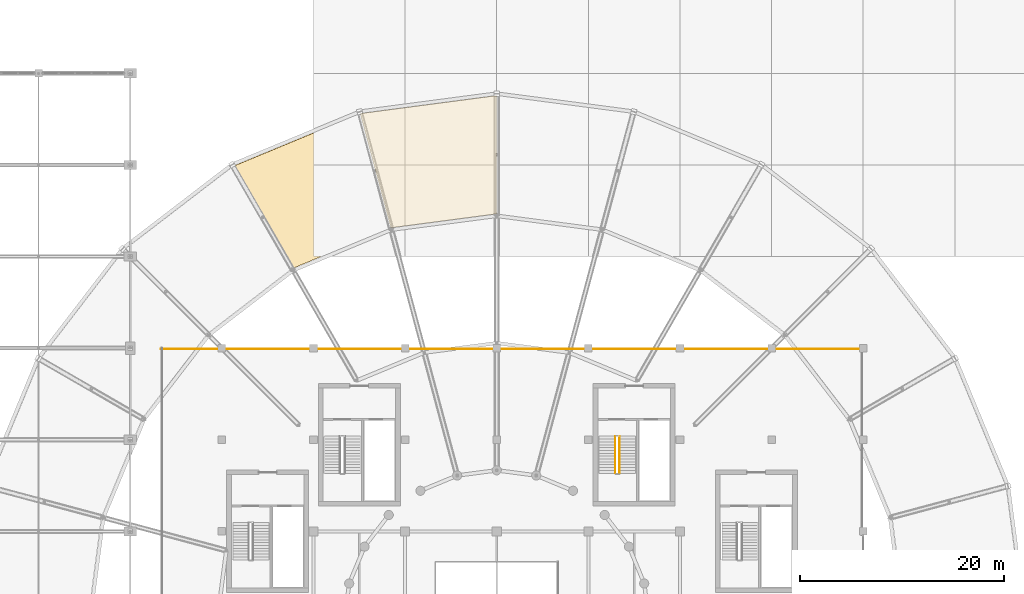
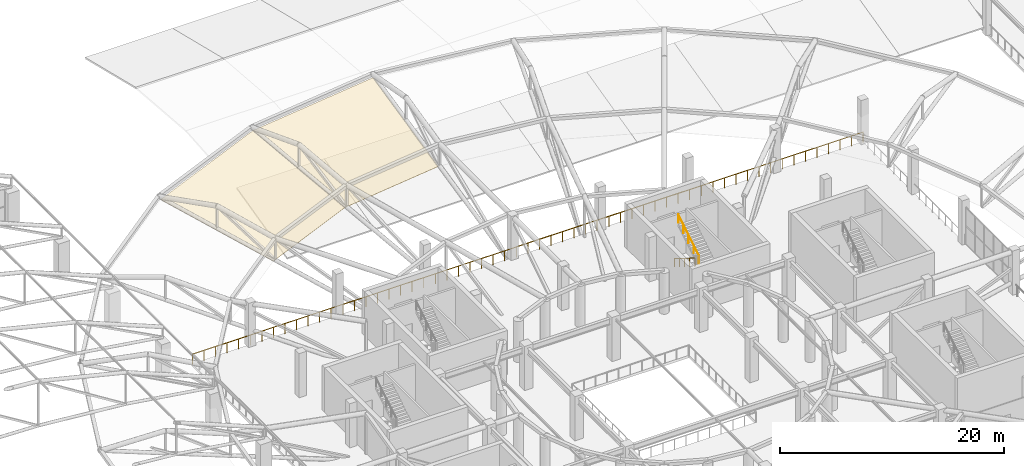
# One storey, part 158 of 167: 3 railings, 2 coverings.
"""IFC4 building model written with IfcOpenShell, lengths in metres."""

import ifcopenshell
import ifcopenshell.guid

model = None  # the IFC model being written
_history = None  # IfcOwnerHistory: only IFC2X3 demands one
_inside = {}  # id of a spatial element -> (the spatial element, [elements in it])
_under = {}  # id of a project, library or spatial element -> (it, [spatial elements below it])
_declared = {}  # id of a project -> (the project, [libraries it declares])
_typed = {}  # id of a type object -> (the type object, [elements of that type])
_made_of = {}  # id of a material, layer set ... -> (it, [elements and type objects made of it])


def new_model(schema):
    """Start an empty IFC model of exactly this schema.

    Asked for "IFC4X3", IfcOpenShell would pick the latest addendum, in which some entities
    have other attributes; the version numbers below select the first issue.
    IFC2X3 requires an IfcOwnerHistory on every rooted entity: one is made here for all.
    """
    global model, _history
    if schema == "IFC4X3":
        model = ifcopenshell.file(schema_version=(4, 3, 0, 0))
    else:
        model = ifcopenshell.file(schema=schema)
    _inside.clear()
    _under.clear()
    _declared.clear()
    _typed.clear()
    _made_of.clear()
    _history = None
    if model.schema == "IFC2X3":
        org = make("IfcOrganization", Name="unknown")
        user = make(
            "IfcPersonAndOrganization",
            ThePerson=make("IfcPerson", FamilyName="unknown"),
            TheOrganization=org,
        )
        app = make(
            "IfcApplication",
            ApplicationDeveloper=org,
            Version="unknown",
            ApplicationFullName="unknown",
            ApplicationIdentifier="unknown",
        )
        _history = make(
            "IfcOwnerHistory",
            OwningUser=user,
            OwningApplication=app,
            ChangeAction="ADDED",
            CreationDate=0,
        )
    return model


def make(cls, **values):
    """One entity of the class cls with the attributes given. An attribute that is None is left unset."""
    return model.create_entity(
        cls, **{name: value for name, value in values.items() if value is not None}
    )


def rooted(cls, **values):
    """An entity with a GlobalId (a new one), such as an element, a storey or a relation."""
    return make(cls, GlobalId=ifcopenshell.guid.new(), OwnerHistory=_history, **values)


def si_unit(unit_type, name, prefix=None):
    """IfcSIUnit, for example si_unit("LENGTHUNIT", "METRE", prefix="MILLI")."""
    return make("IfcSIUnit", UnitType=unit_type, Prefix=prefix, Name=name)


def assignment(units):
    """IfcUnitAssignment: the units of a project."""
    return None if units is None else make("IfcUnitAssignment", Units=units)


def point(xyz):
    """IfcCartesianPoint."""
    return None if xyz is None else make("IfcCartesianPoint", Coordinates=xyz)


def direction(xyz):
    """IfcDirection."""
    return None if xyz is None else make("IfcDirection", DirectionRatios=xyz)


def frame(location, z_axis=None, x_axis=None):
    """IfcAxis2Placement3D, a coordinate frame: its origin and axes. An axis left out is left unset."""
    return make(
        "IfcAxis2Placement3D",
        Location=point(location),
        Axis=direction(z_axis),
        RefDirection=direction(x_axis),
    )


def frame_2d(location, x_axis=None):
    """IfcAxis2Placement2D, a coordinate frame in the plane: its origin and x axis."""
    return make(
        "IfcAxis2Placement2D", Location=point(location), RefDirection=direction(x_axis)
    )


def origin():
    """The frame at (0, 0, 0) with its axes left unset."""
    return frame((0.0, 0.0, 0.0))


def origin_2d():
    """The frame at (0, 0) in the plane with its x axis left unset."""
    return frame_2d((0.0, 0.0))


def place(relative_to, where):
    """IfcLocalPlacement: puts the frame where relative to a parent placement (None: the world)."""
    return make(
        "IfcLocalPlacement", PlacementRelTo=relative_to, RelativePlacement=where
    )


def context(
    kind, dimensions, precision=None, world=None, true_north=None, identifier=None
):
    """IfcGeometricRepresentationContext, for example the 3D "Model" context."""
    return make(
        "IfcGeometricRepresentationContext",
        ContextIdentifier=identifier,
        ContextType=kind,
        CoordinateSpaceDimension=dimensions,
        Precision=precision,
        WorldCoordinateSystem=world,
        TrueNorth=true_north,
    )


def subcontext(parent, identifier, kind, view, scale=None):
    """IfcGeometricRepresentationSubContext, for example "Body" below "Model"."""
    return make(
        "IfcGeometricRepresentationSubContext",
        ContextIdentifier=identifier,
        ContextType=kind,
        ParentContext=parent,
        TargetScale=scale,
        TargetView=view,
    )


def project(units=None, contexts=None):
    """IfcProject with its units and contexts."""
    return rooted(
        "IfcProject",
        Name="project",
        RepresentationContexts=contexts,
        UnitsInContext=assignment(units),
    )


def spatial(cls, under=None, at=None, **own):
    """A site, building, storey or space (cls), placed at a placement, below another one or the project."""
    s = rooted(cls, ObjectPlacement=at, **own)
    if under is not None:
        _under.setdefault(under.id(), (under, []))[1].append(s)
    return s


def polyline(points):
    """IfcPolyline through the points."""
    return make("IfcPolyline", Points=[point(p) for p in points])


def profile(cls, at=None, kind="AREA", **sizes):
    """A parametric profile (cls). Its sizes go by their IFC names, for example OverallWidth=200.0."""
    return make(cls, ProfileType=kind, Position=at, **sizes)


def circle(**sizes):
    """IfcCircleProfileDef."""
    return profile("IfcCircleProfileDef", **sizes)


def outline(outer, holes=None, kind="AREA"):
    """IfcArbitraryClosedProfileDef: a profile drawn as a closed curve; with holes, ...WithVoids."""
    if holes is None:
        return make("IfcArbitraryClosedProfileDef", ProfileType=kind, OuterCurve=outer)
    return make(
        "IfcArbitraryProfileDefWithVoids",
        ProfileType=kind,
        OuterCurve=outer,
        InnerCurves=holes,
    )


def extrude(swept, where, along, depth):
    """IfcExtrudedAreaSolid: the profile swept, set in the frame where, extruded along a direction by depth."""
    return make(
        "IfcExtrudedAreaSolid",
        SweptArea=swept,
        Position=where,
        ExtrudedDirection=direction(along),
        Depth=depth,
    )


def shape(context_of_items, identifier, shape_type, items):
    """IfcShapeRepresentation: the items that make up one representation, for example the "Body"."""
    return make(
        "IfcShapeRepresentation",
        ContextOfItems=context_of_items,
        RepresentationIdentifier=identifier,
        RepresentationType=shape_type,
        Items=items,
    )


def material(Name=None, Category=None):
    """IfcMaterial."""
    return make("IfcMaterial", Name=Name, Category=Category)


def layer(
    of_material, thickness, ventilated=None, Name=None, Category=None, Priority=None
):
    """IfcMaterialLayer: one layer of a wall or slab, of a material (None: an air gap)."""
    return make(
        "IfcMaterialLayer",
        Material=of_material,
        LayerThickness=thickness,
        IsVentilated=ventilated,
        Name=Name,
        Category=Category,
        Priority=Priority,
    )


def layer_set(layers, Name=None):
    """IfcMaterialLayerSet."""
    return make("IfcMaterialLayerSet", MaterialLayers=layers, LayerSetName=Name)


def made_of(thing, what):
    """Note that an element or type object is made of a material, layer set ...; save() writes the relation."""
    if what is not None:
        _made_of.setdefault(what.id(), (what, []))[1].append(thing)
    return thing


def type_object(cls, material=None, **own):
    """A type object (cls), such as IfcWallType, which elements share."""
    return made_of(rooted(cls, **own), material)


def element(
    cls,
    number,
    at=None,
    inside=None,
    cuts=None,
    type_object=None,
    material=None,
    context=None,
    identifier="Body",
    shape_type=None,
    held_by="IfcProductDefinitionShape",
    body=None,
    shapes=None,
    **own,
):
    """One element of the class cls, such as IfcWall. Its Tag is "e" and its number.

    at: its placement. inside: the storey or other place that contains it. cuts: it is an
    opening in that element (IfcRelVoidsElement). A single representation is given by context,
    identifier, shape_type and body (its items); several are given by shapes. held_by: the class
    of the entity that holds the representations. save() writes the other relations.
    """
    e = rooted(cls, Tag="e%d" % number, ObjectPlacement=at, **own)
    if body is not None:
        shapes = [shape(context, identifier, shape_type, body)]
    if shapes is not None:
        e.Representation = make(held_by, Representations=shapes)
    if inside is not None:
        _inside.setdefault(inside.id(), (inside, []))[1].append(e)
    if cuts is not None:
        rooted(
            "IfcRelVoidsElement", RelatingBuildingElement=cuts, RelatedOpeningElement=e
        )
    if type_object is not None:
        _typed.setdefault(type_object.id(), (type_object, []))[1].append(e)
    return made_of(e, material)


def aggregate(whole, parts):
    """IfcRelAggregates: a whole, such as a stair, and the parts it consists of."""
    return rooted("IfcRelAggregates", RelatingObject=whole, RelatedObjects=parts)


def save(model, path):
    """Write the relations noted so far, then the file.

    IfcRelAggregates (storeys below a building ...), IfcRelContainedInSpatialStructure (elements
    in a storey), IfcRelDefinesByType, IfcRelAssociatesMaterial and IfcRelDeclares: one each for
    every whole, place, type object, material and project.
    """
    for whole, parts in _under.values():
        aggregate(whole, parts)
    for where, things in _inside.values():
        rooted(
            "IfcRelContainedInSpatialStructure",
            RelatedElements=things,
            RelatingStructure=where,
        )
    for kind, things in _typed.values():
        rooted("IfcRelDefinesByType", RelatedObjects=things, RelatingType=kind)
    for what, things in _made_of.values():
        rooted("IfcRelAssociatesMaterial", RelatedObjects=things, RelatingMaterial=what)
    for by, libraries in _declared.values():
        rooted("IfcRelDeclares", RelatingContext=by, RelatedDefinitions=libraries)
    model.write(path)


model = new_model("IFC4")

# Units and contexts
model_context = context("Model", 3, precision=1e-05, world=origin(), true_north=direction((0.0, 1.0)))
body_context = subcontext(model_context, "Body", "Model", "MODEL_VIEW")
ifc_project = project(units=[si_unit("LENGTHUNIT", "METRE"), si_unit("AREAUNIT", "SQUARE_METRE"), si_unit("VOLUMEUNIT", "CUBIC_METRE"), si_unit("PLANEANGLEUNIT", "RADIAN"), si_unit("MASSUNIT", "GRAM", prefix="KILO")], contexts=[model_context])

# Site, building, storey
site_placement = place(None, origin())
site = spatial("IfcSite", under=ifc_project, at=site_placement, CompositionType="ELEMENT")
building_placement = place(site_placement, origin())
building = spatial("IfcBuilding", under=site, at=building_placement, Name="Dornveld Trade and Exhibition Forum", CompositionType="ELEMENT")
storey_placement = place(building_placement, frame((0.0, 0.0, 16.800048828125)))
storey = spatial("IfcBuildingStorey", under=building, at=storey_placement, Name="L03", CompositionType="ELEMENT", Elevation=16.800048828125)

# Coverings
ifc_material_1 = material(Name="Acoustic perforated aluminium soffit panel", Category="aluminium")
ifc_layer = layer(ifc_material_1, 0.044921875)
ifc_layer_set = layer_set([ifc_layer], Name="Acoustic perforated aluminium soffit panel")
covering_type = type_object("IfcCoveringType", Name="COV-SOFFIT-DISC", PredefinedType="CEILING", material=ifc_layer_set)
covering_1_placement = place(storey_placement, frame((117.0, 121.199951171875, 1.9111328125), z_axis=(0.029133938647, -0.221280443125, 0.97477493767), x_axis=(-2.095e-09, 0.975188889038, 0.221374412922)))
element("IfcCovering", 1, at=covering_1_placement, inside=storey, type_object=covering_type, Name="Floating disc conical soffit panel 7", PredefinedType="CEILING", context=body_context, shape_type="SweptSolid", body=[
    extrude(outline(polyline([(0.0, 0.0), (11.89523176062862, 0.0), (10.173890072953098, 13.41243161295085), (-1.3358849529112242, 10.408959472635203), (0.0, 0.0)])), origin(), (0.0, 0.0, -1.0), 0.044921875),
])
covering_2_placement = place(storey_placement, frame((106.595458984375, 119.830078125, 1.9111328125), z_axis=(0.085410312961, -0.206203115777, 0.974774514174), x_axis=(-0.25238718951, 0.941962421802, 0.221376381949)))
element("IfcCovering", 2, at=covering_2_placement, inside=storey, type_object=covering_type, Name="Floating disc conical soffit panel 8", PredefinedType="CEILING", context=body_context, shape_type="SweptSolid", body=[
    extrude(outline(polyline([(0.0, 0.0), (11.895199285569515, -2.3592239273284576e-16), (10.173842295598652, 13.412482319061688), (-1.3357635300827977, 10.408974940773126), (0.0, 0.0)])), origin(), (0.0, 0.0, -1.0), 0.044921875),
])

# Railings
ifc_material_2 = material(Name="Dark-bronze steel and laminated glass balustrade", Category="steel")
railing_type_1 = type_object("IfcRailingType", Name="RL-BALUST-CONC", PredefinedType="BALUSTRADE", material=ifc_material_2)
railing_1_placement = place(storey_placement, frame((84.0, 107.89990234375, 0.0)))
element("IfcRailing", 3, at=railing_1_placement, inside=storey, type_object=railing_type_1, Name="L03 deck edge balustrade 199", PredefinedType="BALUSTRADE", context=body_context, shape_type="SweptSolid", body=[
    extrude(circle(Radius=0.02490234375, at=origin_2d()), frame((0.0, 0.0, 1.09521484375), z_axis=(1.0, 0.0, 0.0), x_axis=(0.0, 1.0, 0.0)), (0.0, 0.0, 1.0), 69.0),
    extrude(circle(Radius=0.02099609375, at=origin_2d()), origin(), (0.0, 0.0, 1.0), 1.070068359375),
    extrude(circle(Radius=0.02099609375, at=origin_2d()), frame((1.189697265625, 0.0, 0.0)), (0.0, 0.0, 1.0), 1.070068359375),
    extrude(circle(Radius=0.02099609375, at=origin_2d()), frame((2.37939453125, 0.0, 0.0)), (0.0, 0.0, 1.0), 1.070068359375),
    extrude(circle(Radius=0.02099609375, at=origin_2d()), frame((3.56884765625, 0.0, 0.0)), (0.0, 0.0, 1.0), 1.070068359375),
    extrude(circle(Radius=0.02099609375, at=origin_2d()), frame((4.758544921875, 0.0, 0.0)), (0.0, 0.0, 1.0), 1.070068359375),
    extrude(circle(Radius=0.02099609375, at=origin_2d()), frame((5.9482421875, 0.0, 0.0)), (0.0, 0.0, 1.0), 1.070068359375),
    extrude(circle(Radius=0.02099609375, at=origin_2d()), frame((7.137939453125, 0.0, 0.0)), (0.0, 0.0, 1.0), 1.070068359375),
    extrude(circle(Radius=0.02099609375, at=origin_2d()), frame((8.32763671875, 0.0, 0.0)), (0.0, 0.0, 1.0), 1.070068359375),
    extrude(circle(Radius=0.02099609375, at=origin_2d()), frame((9.517333984375, 0.0, 0.0)), (0.0, 0.0, 1.0), 1.070068359375),
    extrude(circle(Radius=0.02099609375, at=origin_2d()), frame((10.706787109375, 0.0, 0.0)), (0.0, 0.0, 1.0), 1.070068359375),
    extrude(circle(Radius=0.02099609375, at=origin_2d()), frame((11.896484375, 0.0, 0.0)), (0.0, 0.0, 1.0), 1.070068359375),
    extrude(circle(Radius=0.02099609375, at=origin_2d()), frame((13.086181640625, 0.0, 0.0)), (0.0, 0.0, 1.0), 1.070068359375),
    extrude(circle(Radius=0.02099609375, at=origin_2d()), frame((14.27587890625, 0.0, 0.0)), (0.0, 0.0, 1.0), 1.070068359375),
    extrude(circle(Radius=0.02099609375, at=origin_2d()), frame((15.465576171875, 0.0, 0.0)), (0.0, 0.0, 1.0), 1.070068359375),
    extrude(circle(Radius=0.02099609375, at=origin_2d()), frame((16.6552734375, 0.0, 0.0)), (0.0, 0.0, 1.0), 1.070068359375),
    extrude(circle(Radius=0.02099609375, at=origin_2d()), frame((17.8447265625, 0.0, 0.0)), (0.0, 0.0, 1.0), 1.070068359375),
    extrude(circle(Radius=0.02099609375, at=origin_2d()), frame((19.034423828125, 0.0, 0.0)), (0.0, 0.0, 1.0), 1.070068359375),
    extrude(circle(Radius=0.02099609375, at=origin_2d()), frame((20.22412109375, 0.0, 0.0)), (0.0, 0.0, 1.0), 1.070068359375),
    extrude(circle(Radius=0.02099609375, at=origin_2d()), frame((21.413818359375, 0.0, 0.0)), (0.0, 0.0, 1.0), 1.070068359375),
    extrude(circle(Radius=0.02099609375, at=origin_2d()), frame((22.603515625, 0.0, 0.0)), (0.0, 0.0, 1.0), 1.070068359375),
    extrude(circle(Radius=0.02099609375, at=origin_2d()), frame((23.793212890625, 0.0, 0.0)), (0.0, 0.0, 1.0), 1.070068359375),
    extrude(circle(Radius=0.02099609375, at=origin_2d()), frame((24.982666015625, 0.0, 0.0)), (0.0, 0.0, 1.0), 1.070068359375),
    extrude(circle(Radius=0.02099609375, at=origin_2d()), frame((26.17236328125, 0.0, 0.0)), (0.0, 0.0, 1.0), 1.070068359375),
    extrude(circle(Radius=0.02099609375, at=origin_2d()), frame((27.362060546875, 0.0, 0.0)), (0.0, 0.0, 1.0), 1.070068359375),
    extrude(circle(Radius=0.02099609375, at=origin_2d()), frame((28.5517578125, 0.0, 0.0)), (0.0, 0.0, 1.0), 1.070068359375),
    extrude(circle(Radius=0.02099609375, at=origin_2d()), frame((29.741455078125, 0.0, 0.0)), (0.0, 0.0, 1.0), 1.070068359375),
    extrude(circle(Radius=0.02099609375, at=origin_2d()), frame((30.93115234375, 0.0, 0.0)), (0.0, 0.0, 1.0), 1.070068359375),
    extrude(circle(Radius=0.02099609375, at=origin_2d()), frame((32.12060546875, 0.0, 0.0)), (0.0, 0.0, 1.0), 1.070068359375),
    extrude(circle(Radius=0.02099609375, at=origin_2d()), frame((33.310302734375, 0.0, 0.0)), (0.0, 0.0, 1.0), 1.070068359375),
    extrude(circle(Radius=0.02099609375, at=origin_2d()), frame((34.5, 0.0, 0.0)), (0.0, 0.0, 1.0), 1.070068359375),
    extrude(circle(Radius=0.02099609375, at=origin_2d()), frame((35.689697265625, 0.0, 0.0)), (0.0, 0.0, 1.0), 1.070068359375),
    extrude(circle(Radius=0.02099609375, at=origin_2d()), frame((36.87939453125, 0.0, 0.0)), (0.0, 0.0, 1.0), 1.070068359375),
    extrude(circle(Radius=0.02099609375, at=origin_2d()), frame((38.06884765625, 0.0, 0.0)), (0.0, 0.0, 1.0), 1.070068359375),
    extrude(circle(Radius=0.02099609375, at=origin_2d()), frame((39.258544921875, 0.0, 0.0)), (0.0, 0.0, 1.0), 1.070068359375),
    extrude(circle(Radius=0.02099609375, at=origin_2d()), frame((40.4482421875, 0.0, 0.0)), (0.0, 0.0, 1.0), 1.070068359375),
    extrude(circle(Radius=0.02099609375, at=origin_2d()), frame((41.637939453125, 0.0, 0.0)), (0.0, 0.0, 1.0), 1.070068359375),
    extrude(circle(Radius=0.02099609375, at=origin_2d()), frame((42.82763671875, 0.0, 0.0)), (0.0, 0.0, 1.0), 1.070068359375),
    extrude(circle(Radius=0.02099609375, at=origin_2d()), frame((44.017333984375, 0.0, 0.0)), (0.0, 0.0, 1.0), 1.070068359375),
    extrude(circle(Radius=0.02099609375, at=origin_2d()), frame((45.206787109375, 0.0, 0.0)), (0.0, 0.0, 1.0), 1.070068359375),
    extrude(circle(Radius=0.02099609375, at=origin_2d()), frame((46.396484375, 0.0, 0.0)), (0.0, 0.0, 1.0), 1.070068359375),
    extrude(circle(Radius=0.02099609375, at=origin_2d()), frame((47.586181640625, 0.0, 0.0)), (0.0, 0.0, 1.0), 1.070068359375),
    extrude(circle(Radius=0.02099609375, at=origin_2d()), frame((48.77587890625, 0.0, 0.0)), (0.0, 0.0, 1.0), 1.070068359375),
    extrude(circle(Radius=0.02099609375, at=origin_2d()), frame((49.965576171875, 0.0, 0.0)), (0.0, 0.0, 1.0), 1.070068359375),
    extrude(circle(Radius=0.02099609375, at=origin_2d()), frame((51.1552734375, 0.0, 0.0)), (0.0, 0.0, 1.0), 1.070068359375),
    extrude(circle(Radius=0.02099609375, at=origin_2d()), frame((52.3447265625, 0.0, 0.0)), (0.0, 0.0, 1.0), 1.070068359375),
    extrude(circle(Radius=0.02099609375, at=origin_2d()), frame((53.534423828125, 0.0, 0.0)), (0.0, 0.0, 1.0), 1.070068359375),
    extrude(circle(Radius=0.02099609375, at=origin_2d()), frame((54.72412109375, 0.0, 0.0)), (0.0, 0.0, 1.0), 1.070068359375),
    extrude(circle(Radius=0.02099609375, at=origin_2d()), frame((55.913818359375, 0.0, 0.0)), (0.0, 0.0, 1.0), 1.070068359375),
    extrude(circle(Radius=0.02099609375, at=origin_2d()), frame((57.103515625, 0.0, 0.0)), (0.0, 0.0, 1.0), 1.070068359375),
    extrude(circle(Radius=0.02099609375, at=origin_2d()), frame((58.293212890625, 0.0, 0.0)), (0.0, 0.0, 1.0), 1.070068359375),
    extrude(circle(Radius=0.02099609375, at=origin_2d()), frame((59.482666015625, 0.0, 0.0)), (0.0, 0.0, 1.0), 1.070068359375),
    extrude(circle(Radius=0.02099609375, at=origin_2d()), frame((60.67236328125, 0.0, 0.0)), (0.0, 0.0, 1.0), 1.070068359375),
    extrude(circle(Radius=0.02099609375, at=origin_2d()), frame((61.862060546875, 0.0, 0.0)), (0.0, 0.0, 1.0), 1.070068359375),
    extrude(circle(Radius=0.02099609375, at=origin_2d()), frame((63.0517578125, 0.0, 0.0)), (0.0, 0.0, 1.0), 1.070068359375),
    extrude(circle(Radius=0.02099609375, at=origin_2d()), frame((64.241455078125, 0.0, 0.0)), (0.0, 0.0, 1.0), 1.070068359375),
    extrude(circle(Radius=0.02099609375, at=origin_2d()), frame((65.43115234375, 0.0, 0.0)), (0.0, 0.0, 1.0), 1.070068359375),
    extrude(circle(Radius=0.02099609375, at=origin_2d()), frame((66.62060546875, 0.0, 0.0)), (0.0, 0.0, 1.0), 1.070068359375),
    extrude(circle(Radius=0.02099609375, at=origin_2d()), frame((67.810302734375, 0.0, 0.0)), (0.0, 0.0, 1.0), 1.070068359375),
    extrude(circle(Radius=0.02099609375, at=origin_2d()), frame((69.0, 0.0, 0.0)), (0.0, 0.0, 1.0), 1.070068359375),
])
ifc_material_3 = material(Name="Brushed stainless steel handrail", Category="steel")
railing_type_2 = type_object("IfcRailingType", Name="RL-HAND-920", PredefinedType="HANDRAIL", material=ifc_material_3)
railing_2_placement = place(storey_placement, frame((128.639892578125, 99.35009765625, 0.17138671875)))
element("IfcRailing", 4, at=railing_2_placement, inside=storey, type_object=railing_type_2, Name="ST-02-L03 flight 1 handrail", PredefinedType="HANDRAIL", context=body_context, shape_type="SweptSolid", body=[
    extrude(circle(Radius=0.02099609375, at=origin_2d()), frame((0.0, 0.0, 0.89892578125), z_axis=(0.0, -0.852865859571, 0.52213008492), x_axis=(1.0, 0.0, 0.0)), (0.0, 0.0, 1.0), 4.26806640625),
    extrude(circle(Radius=0.01806640625, at=origin_2d()), origin(), (0.0, 0.0, 1.0), 0.8779296875),
    extrude(circle(Radius=0.01806640625, at=origin_2d()), frame((0.0, -0.91015625, 0.55712890625)), (0.0, 0.0, 1.0), 0.8779296875),
    extrude(circle(Radius=0.01806640625, at=origin_2d()), frame((0.0, -1.820068359375, 1.1142578125)), (0.0, 0.0, 1.0), 0.8779296875),
    extrude(circle(Radius=0.01806640625, at=origin_2d()), frame((0.0, -2.72998046875, 1.67138671875)), (0.0, 0.0, 1.0), 0.8779296875),
    extrude(circle(Radius=0.01806640625, at=origin_2d()), frame((0.0, -3.64013671875, 2.228515625)), (0.0, 0.0, 1.0), 0.8779296875),
])
railing_3_placement = place(storey_placement, frame((129.06005859375, 95.7099609375, 2.5712890625)))
element("IfcRailing", 5, at=railing_3_placement, inside=storey, type_object=railing_type_2, Name="ST-02-L03 flight 2 handrail", PredefinedType="HANDRAIL", context=body_context, shape_type="SweptSolid", body=[
    extrude(circle(Radius=0.02099609375, at=origin_2d()), frame((0.0, 0.0, 0.89892578125), z_axis=(0.0, 0.852840387347, 0.522171689878), x_axis=(-1.0, 0.0, 0.0)), (0.0, 0.0, 1.0), 4.268310546875),
    extrude(circle(Radius=0.01806640625, at=origin_2d()), origin(), (0.0, 0.0, 1.0), 0.8779296875),
    extrude(circle(Radius=0.01806640625, at=origin_2d()), frame((0.0, 0.91015625, 0.55712890625)), (0.0, 0.0, 1.0), 0.8779296875),
    extrude(circle(Radius=0.01806640625, at=origin_2d()), frame((0.0, 1.820068359375, 1.1142578125)), (0.0, 0.0, 1.0), 0.8779296875),
    extrude(circle(Radius=0.01806640625, at=origin_2d()), frame((0.0, 2.72998046875, 1.671630859375)), (0.0, 0.0, 1.0), 0.8779296875),
    extrude(circle(Radius=0.01806640625, at=origin_2d()), frame((0.0, 3.64013671875, 2.228759765625)), (0.0, 0.0, 1.0), 0.8779296875),
])

save(model, "model.ifc")
